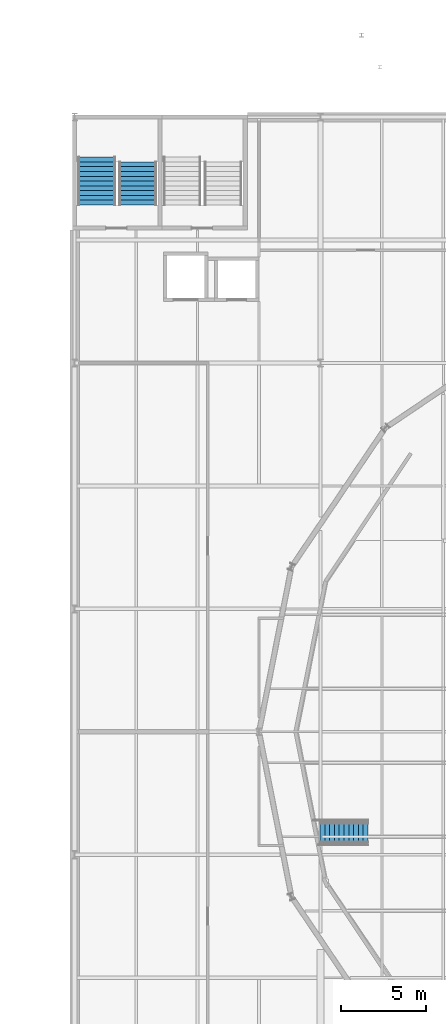
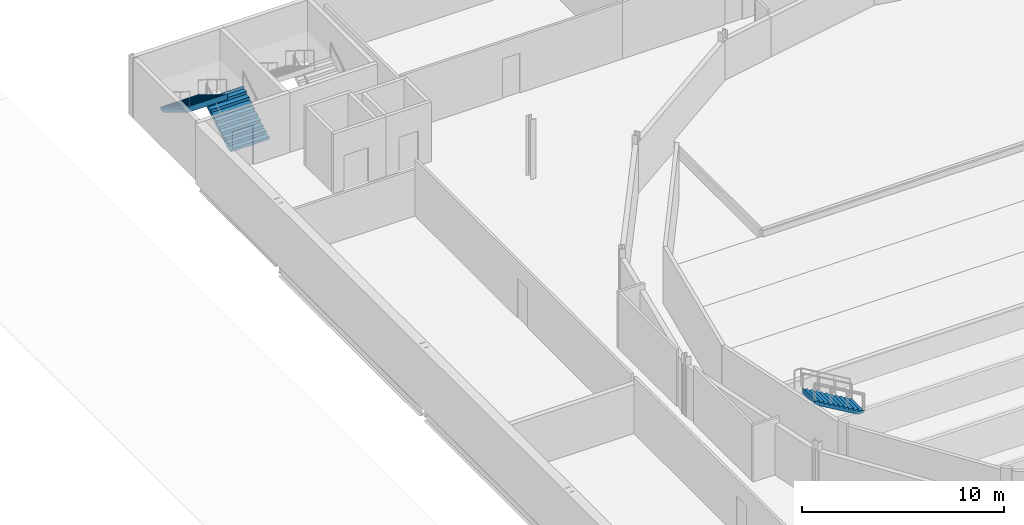
# One storey, part 68 of 90: 3 stair flights, 2 elements without a shape of their own.
"""IFC4 building model written with IfcOpenShell, lengths in metres."""

from ifc_helpers import new_model, si_unit, direction, frame, origin, place, context, subcontext, project, spatial, polyline, outline, extrude, material, type_object, element, aggregate, save


model = new_model("IFC4")

# Units and contexts
model_context = context("Model", 3, precision=1e-05, world=origin(), true_north=direction((0.0, 1.0)))
body_context = subcontext(model_context, "Body", "Model", "MODEL_VIEW")
ifc_project = project(units=[si_unit("LENGTHUNIT", "METRE"), si_unit("AREAUNIT", "SQUARE_METRE"), si_unit("VOLUMEUNIT", "CUBIC_METRE"), si_unit("PLANEANGLEUNIT", "RADIAN"), si_unit("MASSUNIT", "GRAM", prefix="KILO")], contexts=[model_context])

# Site, building, storey
site_placement = place(None, origin())
site = spatial("IfcSite", under=ifc_project, at=site_placement, CompositionType="ELEMENT")
building_placement = place(site_placement, origin())
building = spatial("IfcBuilding", under=site, at=building_placement, Name="Kupolbacken Congress Centre", CompositionType="ELEMENT")
storey_placement = place(building_placement, frame((0.0, 0.0, 3.60009765625)))
storey = spatial("IfcBuildingStorey", under=building, at=storey_placement, Name="L01", CompositionType="ELEMENT", Elevation=3.60009765625)

# Stair, stair flights
ifc_material_1 = material(Name="Concrete C30/37", Category="concrete")
stair_type_1 = type_object("IfcStairType", Name="ST13 stair 2200", PredefinedType="TWO_STRAIGHT_RUN_STAIR", material=ifc_material_1)
stair_1_placement = place(storey_placement, origin())
stair_1 = element("IfcStair", 1, at=stair_1_placement, inside=storey, type_object=stair_type_1, Name="C/stair/PS1NW/L01", PredefinedType="NOTDEFINED")
ifc_material_2 = material(Name="Concrete C30/37", Category="concrete")
stair_flight_type_1 = type_object("IfcStairFlightType", Name="FL13 stair flight 2200 x 10 risers", PredefinedType="STRAIGHT", material=ifc_material_2)
stair_flight_1_placement = place(storey_placement, frame((10.89990234375, 117.2548828125, 0.0), z_axis=(0.0, 0.0, 1.0), x_axis=(0.0, 1.0, 0.0)))
stair_flight_1 = element("IfcStairFlight", 2, at=stair_flight_1_placement, type_object=stair_flight_type_1, Name="PS1NW flight 1", NumberOfRisers=10, NumberOfTreads=9, PredefinedType="STRAIGHT", RiserHeight=0.171428571, TreadLength=0.28, context=body_context, shape_type="SweptSolid", body=[
    extrude(outline(polyline([(0.0, 0.0), (0.0, 0.0009765625), (0.0, 0.002197265625), (0.0, 0.003173828125), (0.0, 0.004150390625), (0.0, 0.00537109375), (0.0, 0.00634765625), (0.0, 0.007568359375), (0.0, 0.008544921875), (0.0, 0.009521484375), (0.0, 0.0107421875), (0.0, 0.01171875), (0.0, 0.0126953125), (0.0, 0.013916015625), (0.0, 0.014892578125), (0.0, 0.015869140625), (0.0, 0.01708984375), (0.0, 0.01806640625), (0.0, 0.019287109375), (0.0, 0.020263671875), (0.0, 0.021240234375), (0.0, 0.0224609375), (0.0, 0.0234375), (0.0, 0.0244140625), (0.0, 0.025634765625), (0.0, 0.026611328125), (0.0, 0.027587890625), (0.0, 0.02880859375), (0.0, 0.02978515625), (0.0, 0.03076171875), (0.0, 0.031982421875), (0.0, 0.032958984375), (0.0, 0.0341796875), (0.0, 0.03515625), (0.0, 0.0361328125), (0.0, 0.037353515625), (0.0, 0.038330078125), (0.0, 0.039306640625), (0.0, 0.04052734375), (0.0, 0.04150390625), (0.0, 0.04248046875), (0.0, 0.043701171875), (0.0, 0.044677734375), (0.0, 0.0458984375), (0.0, 0.046875), (0.0, 0.0478515625), (0.0, 0.049072265625), (0.0, 0.050048828125), (0.0, 0.051025390625), (0.0, 0.05224609375), (0.0, 0.05322265625), (0.0, 0.05419921875), (0.0, 0.055419921875), (0.0, 0.056396484375), (0.0, 0.0576171875), (0.0, 0.05859375), (0.0, 0.0595703125), (0.0, 0.060791015625), (0.0, 0.061767578125), (0.0, 0.062744140625), (0.0, 0.06396484375), (0.0, 0.06494140625), (0.0, 0.06591796875), (0.0, 0.067138671875), (0.0, 0.068115234375), (0.0, 0.069091796875), (0.0, 0.0703125), (0.0, 0.0712890625), (0.0, 0.072509765625), (0.0, 0.073486328125), (0.0, 0.074462890625), (0.0, 0.07568359375), (0.0, 0.07666015625), (0.0, 0.07763671875), (0.0, 0.078857421875), (0.0, 0.079833984375), (0.0, 0.080810546875), (0.0, 0.08203125), (0.0, 0.0830078125), (0.0, 0.084228515625), (0.0, 0.085205078125), (0.0, 0.086181640625), (0.0, 0.08740234375), (0.0, 0.08837890625), (0.0, 0.08935546875), (0.0, 0.090576171875), (0.0, 0.091552734375), (0.0, 0.092529296875), (0.0, 0.09375), (0.0, 0.0947265625), (0.0, 0.095947265625), (0.0, 0.096923828125), (0.0, 0.097900390625), (0.0, 0.09912109375), (0.0, 0.10009765625), (0.0, 0.10107421875), (0.0, 0.102294921875), (0.0, 0.103271484375), (0.0, 0.104248046875), (0.0, 0.10546875), (0.0, 0.1064453125), (0.0, 0.107421875), (0.0, 0.108642578125), (0.0, 0.109619140625), (0.0, 0.11083984375), (0.0, 0.11181640625), (0.0, 0.11279296875), (0.0, 0.114013671875), (0.0, 0.114990234375), (0.0, 0.115966796875), (0.0, 0.1171875), (0.0, 0.1181640625), (0.0, 0.119140625), (0.0, 0.120361328125), (0.0, 0.121337890625), (0.0, 0.12255859375), (0.0, 0.12353515625), (0.0, 0.12451171875), (0.0, 0.125732421875), (0.0, 0.126708984375), (0.0, 0.127685546875), (0.0, 0.12890625), (0.0, 0.1298828125), (0.0, 0.130859375), (0.0, 0.132080078125), (0.0, 0.133056640625), (0.0, 0.13427734375), (0.0, 0.13525390625), (0.0, 0.13623046875), (0.0, 0.137451171875), (0.0, 0.138427734375), (0.0, 0.139404296875), (0.0, 0.140625), (0.0, 0.1416015625), (0.0, 0.142578125), (0.0, 0.143798828125), (0.0, 0.144775390625), (0.0, 0.145751953125), (0.0, 0.14697265625), (0.0, 0.14794921875), (0.0, 0.149169921875), (0.0, 0.150146484375), (0.0, 0.151123046875), (0.0, 0.15234375), (0.0, 0.1533203125), (0.0, 0.154296875), (0.0, 0.155517578125), (0.0, 0.156494140625), (0.0, 0.157470703125), (0.0, 0.15869140625), (0.0, 0.15966796875), (0.0, 0.160888671875), (0.0, 0.161865234375), (0.0, 0.162841796875), (0.0, 0.1640625), (0.0, 0.1650390625), (0.0, 0.166015625), (0.0, 0.167236328125), (0.0, 0.168212890625), (0.0, 0.169189453125), (0.0, 0.17041015625), (0.0, 0.17138671875), (0.280029296875, 0.17138671875), (0.280029296875, 0.3427734375), (0.56005859375, 0.3427734375), (0.56005859375, 0.514404296875), (0.840087890625, 0.514404296875), (0.840087890625, 0.685791015625), (1.1201171875, 0.685791015625), (1.1201171875, 0.857177734375), (1.39990234375, 0.857177734375), (1.39990234375, 1.028564453125), (1.679931640625, 1.028564453125), (1.679931640625, 1.199951171875), (1.9599609375, 1.199951171875), (1.9599609375, 1.371337890625), (2.239990234375, 1.371337890625), (2.239990234375, 1.54296875), (2.52001953125, 1.54296875), (2.52001953125, 1.71435546875), (2.52197265625, 1.71435546875), (2.52197265625, 1.712158203125), (2.52197265625, 1.7099609375), (2.52197265625, 1.707763671875), (2.52197265625, 1.70556640625), (2.52197265625, 1.70361328125), (2.52197265625, 1.701416015625), (2.52197265625, 1.69921875), (2.52197265625, 1.697021484375), (2.52197265625, 1.69482421875), (2.52197265625, 1.692626953125), (2.52197265625, 1.690673828125), (2.52197265625, 1.6884765625), (2.52197265625, 1.686279296875), (2.52197265625, 1.68408203125), (2.52197265625, 1.681884765625), (2.52197265625, 1.6796875), (2.52197265625, 1.677734375), (2.52197265625, 1.675537109375), (2.52197265625, 1.67333984375), (2.52197265625, 1.671142578125), (2.52197265625, 1.6689453125), (2.52197265625, 1.666748046875), (2.52197265625, 1.664794921875), (2.52197265625, 1.66259765625), (2.52197265625, 1.660400390625), (2.52197265625, 1.658203125), (2.52197265625, 1.656005859375), (2.52197265625, 1.65380859375), (2.52197265625, 1.65185546875), (2.52197265625, 1.649658203125), (2.52197265625, 1.6474609375), (2.52197265625, 1.645263671875), (2.52197265625, 1.64306640625), (2.52197265625, 1.640869140625), (2.52197265625, 1.638916015625), (2.52197265625, 1.63671875), (2.52197265625, 1.634521484375), (2.52197265625, 1.63232421875), (2.52197265625, 1.630126953125), (2.52197265625, 1.6279296875), (2.52197265625, 1.6259765625), (2.52197265625, 1.623779296875), (2.52197265625, 1.62158203125), (2.52197265625, 1.619384765625), (2.52197265625, 1.6171875), (2.52197265625, 1.614990234375), (2.52197265625, 1.613037109375), (2.52197265625, 1.61083984375), (2.52197265625, 1.608642578125), (2.52197265625, 1.6064453125), (2.52197265625, 1.604248046875), (2.52197265625, 1.60205078125), (2.52197265625, 1.60009765625), (2.52197265625, 1.597900390625), (2.52197265625, 1.595703125), (2.52197265625, 1.593505859375), (2.52197265625, 1.59130859375), (2.52197265625, 1.589111328125), (2.52197265625, 1.587158203125), (2.52197265625, 1.5849609375), (2.52197265625, 1.582763671875), (2.52197265625, 1.58056640625), (2.52197265625, 1.578369140625), (2.52197265625, 1.576171875), (2.52197265625, 1.57421875), (2.52197265625, 1.572021484375), (2.52197265625, 1.56982421875), (2.52197265625, 1.567626953125), (2.52197265625, 1.5654296875), (2.52197265625, 1.563232421875), (2.52197265625, 1.561279296875), (2.52197265625, 1.55908203125), (2.52197265625, 1.556884765625), (2.52197265625, 1.5546875), (2.52197265625, 1.552490234375), (2.52197265625, 1.55029296875), (2.52197265625, 1.54833984375), (2.52197265625, 1.546142578125), (2.52197265625, 1.5439453125), (2.52197265625, 1.541748046875), (2.52197265625, 1.53955078125), (2.52197265625, 1.537353515625), (2.52197265625, 1.535400390625), (2.52197265625, 1.533203125), (2.52197265625, 1.531005859375), (2.52197265625, 1.52880859375), (2.52197265625, 1.526611328125), (2.52197265625, 1.5244140625), (2.52197265625, 1.5224609375), (2.52197265625, 1.520263671875), (2.52197265625, 1.51806640625), (2.52197265625, 1.515869140625), (2.52197265625, 1.513671875), (2.52197265625, 1.511474609375), (2.52197265625, 1.509521484375), (2.52197265625, 1.50732421875), (2.52197265625, 1.505126953125), (2.52197265625, 1.5029296875), (2.52197265625, 1.500732421875), (2.52197265625, 1.49853515625), (2.52197265625, 1.49658203125), (2.52197265625, 1.494384765625), (2.52197265625, 1.4921875), (2.52197265625, 1.489990234375), (2.52197265625, 1.48779296875), (2.52197265625, 1.485595703125), (2.52197265625, 1.483642578125), (2.52197265625, 1.4814453125), (2.52197265625, 1.479248046875), (2.52197265625, 1.47705078125), (2.52197265625, 1.474853515625), (2.52197265625, 1.47265625), (2.52197265625, 1.470703125), (2.52197265625, 1.468505859375), (2.52197265625, 1.46630859375), (2.52197265625, 1.464111328125), (2.52197265625, 1.4619140625), (2.52197265625, 1.459716796875), (2.52197265625, 1.457763671875), (2.52197265625, 1.45556640625), (2.52197265625, 1.453369140625), (2.52197265625, 1.451171875), (2.52197265625, 1.448974609375), (2.52197265625, 1.44677734375), (2.52197265625, 1.44482421875), (2.52197265625, 1.442626953125), (2.52197265625, 1.4404296875), (2.52197265625, 1.438232421875), (2.52197265625, 1.43603515625), (2.52197265625, 1.433837890625), (2.52197265625, 1.431884765625), (2.52197265625, 1.4296875), (2.52197265625, 1.427490234375), (2.52197265625, 1.42529296875), (2.52197265625, 1.423095703125), (2.52197265625, 1.4208984375), (2.52197265625, 1.4189453125), (2.52197265625, 1.416748046875), (2.52197265625, 1.41455078125), (2.52197265625, 1.412353515625), (2.52197265625, 1.41015625), (2.52197265625, 1.407958984375), (2.52197265625, 1.406005859375), (2.52197265625, 1.40380859375), (2.52197265625, 1.401611328125), (2.52197265625, 1.3994140625), (2.52197265625, 1.397216796875), (2.52197265625, 1.39501953125), (2.52197265625, 1.39306640625), (2.52197265625, 1.390869140625), (2.52197265625, 1.388671875), (2.52197265625, 1.386474609375), (2.52197265625, 1.38427734375), (2.52197265625, 1.382080078125), (2.52197265625, 1.380126953125), (2.52197265625, 1.3779296875), (2.52197265625, 1.375732421875), (2.52197265625, 1.37353515625), (2.52197265625, 1.371337890625), (2.52197265625, 1.369140625), (2.52197265625, 1.3671875), (0.2890625, 0.0), (0.0, 0.0)])), frame((0.0, 1.10009765625, 0.0), z_axis=(0.0, -1.0, 0.0), x_axis=(1.0, 0.0, 0.0)), (0.0, 0.0, 1.0), 2.199951171875),
])
ifc_material_3 = material(Name="Concrete C30/37", Category="concrete")
stair_flight_type_2 = type_object("IfcStairFlightType", Name="FL14 stair flight 2200 x 11 risers", PredefinedType="STRAIGHT", material=ifc_material_3)
stair_flight_2_placement = place(storey_placement, frame((8.5, 120.054931640625, 1.714111328125), z_axis=(0.0, 0.0, 1.0), x_axis=(0.0, -1.0, 0.0)))
stair_flight_2 = element("IfcStairFlight", 3, at=stair_flight_2_placement, type_object=stair_flight_type_2, Name="PS1NW flight 2", NumberOfRisers=11, NumberOfTreads=10, PredefinedType="STRAIGHT", RiserHeight=0.171428571, TreadLength=0.28, context=body_context, shape_type="SweptSolid", body=[
    extrude(outline(polyline([(0.0, 0.0), (0.0, 0.0009765625), (0.0, 0.002197265625), (0.0, 0.003173828125), (0.0, 0.004150390625), (0.0, 0.00537109375), (0.0, 0.00634765625), (0.0, 0.007568359375), (0.0, 0.008544921875), (0.0, 0.009521484375), (0.0, 0.0107421875), (0.0, 0.01171875), (0.0, 0.0126953125), (0.0, 0.013916015625), (0.0, 0.014892578125), (0.0, 0.015869140625), (0.0, 0.01708984375), (0.0, 0.01806640625), (0.0, 0.019287109375), (0.0, 0.020263671875), (0.0, 0.021240234375), (0.0, 0.0224609375), (0.0, 0.0234375), (0.0, 0.0244140625), (0.0, 0.025634765625), (0.0, 0.026611328125), (0.0, 0.027587890625), (0.0, 0.02880859375), (0.0, 0.02978515625), (0.0, 0.03076171875), (0.0, 0.031982421875), (0.0, 0.032958984375), (0.0, 0.0341796875), (0.0, 0.03515625), (0.0, 0.0361328125), (0.0, 0.037353515625), (0.0, 0.038330078125), (0.0, 0.039306640625), (0.0, 0.04052734375), (0.0, 0.04150390625), (0.0, 0.04248046875), (0.0, 0.043701171875), (0.0, 0.044677734375), (0.0, 0.0458984375), (0.0, 0.046875), (0.0, 0.0478515625), (0.0, 0.049072265625), (0.0, 0.050048828125), (0.0, 0.051025390625), (0.0, 0.05224609375), (0.0, 0.05322265625), (0.0, 0.05419921875), (0.0, 0.055419921875), (0.0, 0.056396484375), (0.0, 0.0576171875), (0.0, 0.05859375), (0.0, 0.0595703125), (0.0, 0.060791015625), (0.0, 0.061767578125), (0.0, 0.062744140625), (0.0, 0.06396484375), (0.0, 0.06494140625), (0.0, 0.06591796875), (0.0, 0.067138671875), (0.0, 0.068115234375), (0.0, 0.069091796875), (0.0, 0.0703125), (0.0, 0.0712890625), (0.0, 0.072509765625), (0.0, 0.073486328125), (0.0, 0.074462890625), (0.0, 0.07568359375), (0.0, 0.07666015625), (0.0, 0.07763671875), (0.0, 0.078857421875), (0.0, 0.079833984375), (0.0, 0.080810546875), (0.0, 0.08203125), (0.0, 0.0830078125), (0.0, 0.084228515625), (0.0, 0.085205078125), (0.0, 0.086181640625), (0.0, 0.08740234375), (0.0, 0.08837890625), (0.0, 0.08935546875), (0.0, 0.090576171875), (0.0, 0.091552734375), (0.0, 0.092529296875), (0.0, 0.09375), (0.0, 0.0947265625), (0.0, 0.095947265625), (0.0, 0.096923828125), (0.0, 0.097900390625), (0.0, 0.09912109375), (0.0, 0.10009765625), (0.0, 0.10107421875), (0.0, 0.102294921875), (0.0, 0.103271484375), (0.0, 0.104248046875), (0.0, 0.10546875), (0.0, 0.1064453125), (0.0, 0.107421875), (0.0, 0.108642578125), (0.0, 0.109619140625), (0.0, 0.11083984375), (0.0, 0.11181640625), (0.0, 0.11279296875), (0.0, 0.114013671875), (0.0, 0.114990234375), (0.0, 0.115966796875), (0.0, 0.1171875), (0.0, 0.1181640625), (0.0, 0.119140625), (0.0, 0.120361328125), (0.0, 0.121337890625), (0.0, 0.12255859375), (0.0, 0.12353515625), (0.0, 0.12451171875), (0.0, 0.125732421875), (0.0, 0.126708984375), (0.0, 0.127685546875), (0.0, 0.12890625), (0.0, 0.1298828125), (0.0, 0.130859375), (0.0, 0.132080078125), (0.0, 0.133056640625), (0.0, 0.13427734375), (0.0, 0.13525390625), (0.0, 0.13623046875), (0.0, 0.137451171875), (0.0, 0.138427734375), (0.0, 0.139404296875), (0.0, 0.140625), (0.0, 0.1416015625), (0.0, 0.142578125), (0.0, 0.143798828125), (0.0, 0.144775390625), (0.0, 0.145751953125), (0.0, 0.14697265625), (0.0, 0.14794921875), (0.0, 0.149169921875), (0.0, 0.150146484375), (0.0, 0.151123046875), (0.0, 0.15234375), (0.0, 0.1533203125), (0.0, 0.154296875), (0.0, 0.155517578125), (0.0, 0.156494140625), (0.0, 0.157470703125), (0.0, 0.15869140625), (0.0, 0.15966796875), (0.0, 0.160888671875), (0.0, 0.161865234375), (0.0, 0.162841796875), (0.0, 0.1640625), (0.0, 0.1650390625), (0.0, 0.166015625), (0.0, 0.167236328125), (0.0, 0.168212890625), (0.0, 0.169189453125), (0.0, 0.17041015625), (0.0, 0.17138671875), (0.280029296875, 0.17138671875), (0.280029296875, 0.3427734375), (0.56005859375, 0.3427734375), (0.56005859375, 0.514404296875), (0.840087890625, 0.514404296875), (0.840087890625, 0.685791015625), (1.1201171875, 0.685791015625), (1.1201171875, 0.857177734375), (1.39990234375, 0.857177734375), (1.39990234375, 1.028564453125), (1.679931640625, 1.028564453125), (1.679931640625, 1.199951171875), (1.9599609375, 1.199951171875), (1.9599609375, 1.371337890625), (2.239990234375, 1.371337890625), (2.239990234375, 1.54296875), (2.52001953125, 1.54296875), (2.52001953125, 1.71435546875), (2.800048828125, 1.71435546875), (2.800048828125, 1.8857421875), (2.802001953125, 1.8857421875), (2.802001953125, 1.883544921875), (2.802001953125, 1.88134765625), (2.802001953125, 1.879150390625), (2.802001953125, 1.877197265625), (2.802001953125, 1.875), (2.802001953125, 1.872802734375), (2.802001953125, 1.87060546875), (2.802001953125, 1.868408203125), (2.802001953125, 1.8662109375), (2.802001953125, 1.8642578125), (2.802001953125, 1.862060546875), (2.802001953125, 1.85986328125), (2.802001953125, 1.857666015625), (2.802001953125, 1.85546875), (2.802001953125, 1.853271484375), (2.802001953125, 1.851318359375), (2.802001953125, 1.84912109375), (2.802001953125, 1.846923828125), (2.802001953125, 1.8447265625), (2.802001953125, 1.842529296875), (2.802001953125, 1.84033203125), (2.802001953125, 1.83837890625), (2.802001953125, 1.836181640625), (2.802001953125, 1.833984375), (2.802001953125, 1.831787109375), (2.802001953125, 1.82958984375), (2.802001953125, 1.827392578125), (2.802001953125, 1.825439453125), (2.802001953125, 1.8232421875), (2.802001953125, 1.821044921875), (2.802001953125, 1.81884765625), (2.802001953125, 1.816650390625), (2.802001953125, 1.814453125), (2.802001953125, 1.8125), (2.802001953125, 1.810302734375), (2.802001953125, 1.80810546875), (2.802001953125, 1.805908203125), (2.802001953125, 1.8037109375), (2.802001953125, 1.801513671875), (2.802001953125, 1.799560546875), (2.802001953125, 1.79736328125), (2.802001953125, 1.795166015625), (2.802001953125, 1.79296875), (2.802001953125, 1.790771484375), (2.802001953125, 1.78857421875), (2.802001953125, 1.78662109375), (2.802001953125, 1.784423828125), (2.802001953125, 1.7822265625), (2.802001953125, 1.780029296875), (2.802001953125, 1.77783203125), (2.802001953125, 1.775634765625), (2.802001953125, 1.773681640625), (2.802001953125, 1.771484375), (2.802001953125, 1.769287109375), (2.802001953125, 1.76708984375), (2.802001953125, 1.764892578125), (2.802001953125, 1.7626953125), (2.802001953125, 1.7607421875), (2.802001953125, 1.758544921875), (2.802001953125, 1.75634765625), (2.802001953125, 1.754150390625), (2.802001953125, 1.751953125), (2.802001953125, 1.749755859375), (2.802001953125, 1.747802734375), (2.802001953125, 1.74560546875), (2.802001953125, 1.743408203125), (2.802001953125, 1.7412109375), (2.802001953125, 1.739013671875), (2.802001953125, 1.73681640625), (2.802001953125, 1.73486328125), (2.802001953125, 1.732666015625), (2.802001953125, 1.73046875), (2.802001953125, 1.728271484375), (2.802001953125, 1.72607421875), (2.802001953125, 1.723876953125), (2.802001953125, 1.721923828125), (2.802001953125, 1.7197265625), (2.802001953125, 1.717529296875), (2.802001953125, 1.71533203125), (2.802001953125, 1.713134765625), (2.802001953125, 1.7109375), (2.802001953125, 1.708984375), (2.802001953125, 1.706787109375), (2.802001953125, 1.70458984375), (2.802001953125, 1.702392578125), (2.802001953125, 1.7001953125), (2.802001953125, 1.697998046875), (2.802001953125, 1.696044921875), (2.802001953125, 1.69384765625), (2.802001953125, 1.691650390625), (2.802001953125, 1.689453125), (2.802001953125, 1.687255859375), (2.802001953125, 1.68505859375), (2.802001953125, 1.68310546875), (2.802001953125, 1.680908203125), (2.802001953125, 1.6787109375), (2.802001953125, 1.676513671875), (2.802001953125, 1.67431640625), (2.802001953125, 1.672119140625), (2.802001953125, 1.670166015625), (2.802001953125, 1.66796875), (2.802001953125, 1.665771484375), (2.802001953125, 1.66357421875), (2.802001953125, 1.661376953125), (2.802001953125, 1.6591796875), (2.802001953125, 1.6572265625), (2.802001953125, 1.655029296875), (2.802001953125, 1.65283203125), (2.802001953125, 1.650634765625), (2.802001953125, 1.6484375), (2.802001953125, 1.646240234375), (2.802001953125, 1.644287109375), (2.802001953125, 1.64208984375), (2.802001953125, 1.639892578125), (2.802001953125, 1.6376953125), (2.802001953125, 1.635498046875), (2.802001953125, 1.63330078125), (2.802001953125, 1.63134765625), (2.802001953125, 1.629150390625), (2.802001953125, 1.626953125), (2.802001953125, 1.624755859375), (2.802001953125, 1.62255859375), (2.802001953125, 1.620361328125), (2.802001953125, 1.618408203125), (2.802001953125, 1.6162109375), (2.802001953125, 1.614013671875), (2.802001953125, 1.61181640625), (2.802001953125, 1.609619140625), (2.802001953125, 1.607421875), (2.802001953125, 1.60546875), (2.802001953125, 1.603271484375), (2.802001953125, 1.60107421875), (2.802001953125, 1.598876953125), (2.802001953125, 1.5966796875), (2.802001953125, 1.594482421875), (2.802001953125, 1.592529296875), (2.802001953125, 1.59033203125), (2.802001953125, 1.588134765625), (2.802001953125, 1.5859375), (2.802001953125, 1.583740234375), (2.802001953125, 1.58154296875), (2.802001953125, 1.57958984375), (2.802001953125, 1.577392578125), (2.802001953125, 1.5751953125), (2.802001953125, 1.572998046875), (2.802001953125, 1.57080078125), (2.802001953125, 1.568603515625), (2.802001953125, 1.566650390625), (2.802001953125, 1.564453125), (2.802001953125, 1.562255859375), (2.802001953125, 1.56005859375), (2.802001953125, 1.557861328125), (2.802001953125, 1.5556640625), (2.802001953125, 1.5537109375), (2.802001953125, 1.551513671875), (2.802001953125, 1.54931640625), (2.802001953125, 1.547119140625), (2.802001953125, 1.544921875), (2.802001953125, 1.542724609375), (2.802001953125, 1.540771484375), (2.802001953125, 1.53857421875), (0.2890625, 0.0), (0.0, 0.0)])), frame((0.0, 1.10009765625, 0.0), z_axis=(0.0, -1.0, 0.0), x_axis=(1.0, 0.0, 0.0)), (0.0, 0.0, 1.0), 2.199951171875),
])
aggregate(stair_1, [stair_flight_1, stair_flight_2])

# Stair, stair flight
ifc_material_4 = material(Name="Steel S355", Category="steel")
stair_type_2 = type_object("IfcStairType", Name="ST14 aisle stair 1200", PredefinedType="STRAIGHT_RUN_STAIR", material=ifc_material_4)
stair_2_placement = place(storey_placement, origin())
stair_2 = element("IfcStair", 4, at=stair_2_placement, inside=storey, type_object=stair_type_2, Name="PD/aisle/PA-S-1", PredefinedType="NOTDEFINED")
ifc_material_5 = material(Name="Steel S355", Category="steel")
stair_flight_type_3 = type_object("IfcStairFlightType", Name="FL16 stair flight 1200 x 11 risers of 162.6", PredefinedType="STRAIGHT", material=ifc_material_5)
stair_flight_3_placement = place(storey_placement, frame((24.378173828125, 80.5, 1.8115234375), z_axis=(0.0, 0.0, 1.0), x_axis=(-1.0, 0.0, 0.0)))
stair_flight_3 = element("IfcStairFlight", 5, at=stair_flight_3_placement, type_object=stair_flight_type_3, Name="ST14 flight 1", NumberOfRisers=11, NumberOfTreads=10, PredefinedType="STRAIGHT", RiserHeight=0.162590909, TreadLength=0.28, context=body_context, shape_type="SweptSolid", body=[
    extrude(outline(polyline([(0.0, 0.0), (0.0, 0.0009765625), (0.0, 0.001953125), (0.0, 0.0029296875), (0.0, 0.004150390625), (0.0, 0.005126953125), (0.0, 0.006103515625), (0.0, 0.007080078125), (0.0, 0.008056640625), (0.0, 0.009033203125), (0.0, 0.010009765625), (0.0, 0.01123046875), (0.0, 0.01220703125), (0.0, 0.01318359375), (0.0, 0.01416015625), (0.0, 0.01513671875), (0.0, 0.01611328125), (0.0, 0.01708984375), (0.0, 0.01806640625), (0.0, 0.019287109375), (0.0, 0.020263671875), (0.0, 0.021240234375), (0.0, 0.022216796875), (0.0, 0.023193359375), (0.0, 0.024169921875), (0.0, 0.025146484375), (0.0, 0.0263671875), (0.0, 0.02734375), (0.0, 0.0283203125), (0.0, 0.029296875), (0.0, 0.0302734375), (0.0, 0.03125), (0.0, 0.0322265625), (0.0, 0.033447265625), (0.0, 0.034423828125), (0.0, 0.035400390625), (0.0, 0.036376953125), (0.0, 0.037353515625), (0.0, 0.038330078125), (0.0, 0.039306640625), (0.0, 0.040283203125), (0.0, 0.04150390625), (0.0, 0.04248046875), (0.0, 0.04345703125), (0.0, 0.04443359375), (0.0, 0.04541015625), (0.0, 0.04638671875), (0.0, 0.04736328125), (0.0, 0.048583984375), (0.0, 0.049560546875), (0.0, 0.050537109375), (0.0, 0.051513671875), (0.0, 0.052490234375), (0.0, 0.053466796875), (0.0, 0.054443359375), (0.0, 0.0556640625), (0.0, 0.056640625), (0.0, 0.0576171875), (0.0, 0.05859375), (0.0, 0.0595703125), (0.0, 0.060546875), (0.0, 0.0615234375), (0.0, 0.0625), (0.0, 0.063720703125), (0.0, 0.064697265625), (0.0, 0.065673828125), (0.0, 0.066650390625), (0.0, 0.067626953125), (0.0, 0.068603515625), (0.0, 0.069580078125), (0.0, 0.07080078125), (0.0, 0.07177734375), (0.0, 0.07275390625), (0.0, 0.07373046875), (0.0, 0.07470703125), (0.0, 0.07568359375), (0.0, 0.07666015625), (0.0, 0.077880859375), (0.0, 0.078857421875), (0.0, 0.079833984375), (0.0, 0.080810546875), (0.0, 0.081787109375), (0.0, 0.082763671875), (0.0, 0.083740234375), (0.0, 0.084716796875), (0.0, 0.0859375), (0.0, 0.0869140625), (0.0, 0.087890625), (0.0, 0.0888671875), (0.0, 0.08984375), (0.0, 0.0908203125), (0.0, 0.091796875), (0.0, 0.093017578125), (0.0, 0.093994140625), (0.0, 0.094970703125), (0.0, 0.095947265625), (0.0, 0.096923828125), (0.0, 0.097900390625), (0.0, 0.098876953125), (0.0, 0.10009765625), (0.0, 0.10107421875), (0.0, 0.10205078125), (0.0, 0.10302734375), (0.0, 0.10400390625), (0.0, 0.10498046875), (0.0, 0.10595703125), (0.0, 0.10693359375), (0.0, 0.108154296875), (0.0, 0.109130859375), (0.0, 0.110107421875), (0.0, 0.111083984375), (0.0, 0.112060546875), (0.0, 0.113037109375), (0.0, 0.114013671875), (0.0, 0.115234375), (0.0, 0.1162109375), (0.0, 0.1171875), (0.0, 0.1181640625), (0.0, 0.119140625), (0.0, 0.1201171875), (0.0, 0.12109375), (0.0, 0.122314453125), (0.0, 0.123291015625), (0.0, 0.124267578125), (0.0, 0.125244140625), (0.0, 0.126220703125), (0.0, 0.127197265625), (0.0, 0.128173828125), (0.0, 0.129150390625), (0.0, 0.13037109375), (0.0, 0.13134765625), (0.0, 0.13232421875), (0.0, 0.13330078125), (0.0, 0.13427734375), (0.0, 0.13525390625), (0.0, 0.13623046875), (0.0, 0.137451171875), (0.0, 0.138427734375), (0.0, 0.139404296875), (0.0, 0.140380859375), (0.0, 0.141357421875), (0.0, 0.142333984375), (0.0, 0.143310546875), (0.0, 0.14453125), (0.0, 0.1455078125), (0.0, 0.146484375), (0.0, 0.1474609375), (0.0, 0.1484375), (0.0, 0.1494140625), (0.0, 0.150390625), (0.0, 0.1513671875), (0.0, 0.152587890625), (0.0, 0.153564453125), (0.0, 0.154541015625), (0.0, 0.155517578125), (0.0, 0.156494140625), (0.0, 0.157470703125), (0.0, 0.158447265625), (0.0, 0.15966796875), (0.0, 0.16064453125), (0.0, 0.16162109375), (0.0, 0.16259765625), (0.280029296875, 0.16259765625), (0.280029296875, 0.3251953125), (0.56005859375, 0.3251953125), (0.56005859375, 0.48779296875), (0.840087890625, 0.48779296875), (0.840087890625, 0.650390625), (1.1201171875, 0.650390625), (1.1201171875, 0.81298828125), (1.39990234375, 0.81298828125), (1.39990234375, 0.9755859375), (1.679931640625, 0.9755859375), (1.679931640625, 1.13818359375), (1.9599609375, 1.13818359375), (1.9599609375, 1.30078125), (2.239990234375, 1.30078125), (2.239990234375, 1.46337890625), (2.52001953125, 1.46337890625), (2.52001953125, 1.6259765625), (2.800048828125, 1.6259765625), (2.800048828125, 1.78857421875), (2.802001953125, 1.78857421875), (2.802001953125, 1.786376953125), (2.802001953125, 1.784423828125), (2.802001953125, 1.7822265625), (2.802001953125, 1.7802734375), (2.802001953125, 1.778076171875), (2.802001953125, 1.77587890625), (2.802001953125, 1.77392578125), (2.802001953125, 1.771728515625), (2.802001953125, 1.769775390625), (2.802001953125, 1.767578125), (2.802001953125, 1.765625), (2.802001953125, 1.763427734375), (2.802001953125, 1.761474609375), (2.802001953125, 1.75927734375), (2.802001953125, 1.757080078125), (2.802001953125, 1.755126953125), (2.802001953125, 1.7529296875), (2.802001953125, 1.7509765625), (2.802001953125, 1.748779296875), (2.802001953125, 1.746826171875), (2.802001953125, 1.74462890625), (2.802001953125, 1.74267578125), (2.802001953125, 1.740478515625), (2.802001953125, 1.738525390625), (2.802001953125, 1.736328125), (2.802001953125, 1.734130859375), (2.802001953125, 1.732177734375), (2.802001953125, 1.72998046875), (2.802001953125, 1.72802734375), (2.802001953125, 1.725830078125), (2.802001953125, 1.723876953125), (2.802001953125, 1.7216796875), (2.802001953125, 1.7197265625), (2.802001953125, 1.717529296875), (2.802001953125, 1.715576171875), (2.802001953125, 1.71337890625), (2.802001953125, 1.711181640625), (2.802001953125, 1.709228515625), (2.802001953125, 1.70703125), (2.802001953125, 1.705078125), (2.802001953125, 1.702880859375), (2.802001953125, 1.700927734375), (2.802001953125, 1.69873046875), (2.802001953125, 1.69677734375), (2.802001953125, 1.694580078125), (2.802001953125, 1.692626953125), (2.802001953125, 1.6904296875), (2.802001953125, 1.688232421875), (2.802001953125, 1.686279296875), (2.802001953125, 1.68408203125), (2.802001953125, 1.68212890625), (2.802001953125, 1.679931640625), (2.802001953125, 1.677978515625), (2.802001953125, 1.67578125), (2.802001953125, 1.673828125), (2.802001953125, 1.671630859375), (2.802001953125, 1.669677734375), (2.802001953125, 1.66748046875), (2.802001953125, 1.665283203125), (2.802001953125, 1.663330078125), (2.802001953125, 1.6611328125), (2.802001953125, 1.6591796875), (2.802001953125, 1.656982421875), (2.802001953125, 1.655029296875), (2.802001953125, 1.65283203125), (2.802001953125, 1.65087890625), (2.802001953125, 1.648681640625), (2.802001953125, 1.646728515625), (2.802001953125, 1.64453125), (2.802001953125, 1.642333984375), (2.802001953125, 1.640380859375), (2.802001953125, 1.63818359375), (2.802001953125, 1.63623046875), (2.802001953125, 1.634033203125), (2.802001953125, 1.632080078125), (2.802001953125, 1.6298828125), (2.802001953125, 1.6279296875), (2.802001953125, 1.625732421875), (2.802001953125, 1.623779296875), (2.802001953125, 1.62158203125), (2.802001953125, 1.619384765625), (2.802001953125, 1.617431640625), (2.802001953125, 1.615234375), (2.802001953125, 1.61328125), (2.802001953125, 1.611083984375), (2.802001953125, 1.609130859375), (2.802001953125, 1.60693359375), (2.802001953125, 1.60498046875), (2.802001953125, 1.602783203125), (2.802001953125, 1.600830078125), (2.802001953125, 1.5986328125), (2.802001953125, 1.596435546875), (2.802001953125, 1.594482421875), (2.802001953125, 1.59228515625), (2.802001953125, 1.59033203125), (2.802001953125, 1.588134765625), (2.802001953125, 1.586181640625), (2.802001953125, 1.583984375), (2.802001953125, 1.58203125), (2.802001953125, 1.579833984375), (2.802001953125, 1.577880859375), (2.802001953125, 1.57568359375), (2.802001953125, 1.573486328125), (2.802001953125, 1.571533203125), (2.802001953125, 1.5693359375), (2.802001953125, 1.5673828125), (2.802001953125, 1.565185546875), (2.802001953125, 1.563232421875), (2.802001953125, 1.56103515625), (2.802001953125, 1.55908203125), (2.802001953125, 1.556884765625), (2.802001953125, 1.5546875), (2.802001953125, 1.552734375), (2.802001953125, 1.550537109375), (2.802001953125, 1.548583984375), (2.802001953125, 1.54638671875), (2.802001953125, 1.54443359375), (2.802001953125, 1.542236328125), (2.802001953125, 1.540283203125), (2.802001953125, 1.5380859375), (2.802001953125, 1.5361328125), (2.802001953125, 1.533935546875), (2.802001953125, 1.53173828125), (2.802001953125, 1.52978515625), (2.802001953125, 1.527587890625), (2.802001953125, 1.525634765625), (2.802001953125, 1.5234375), (2.802001953125, 1.521484375), (2.802001953125, 1.519287109375), (2.802001953125, 1.517333984375), (2.802001953125, 1.51513671875), (2.802001953125, 1.51318359375), (2.802001953125, 1.510986328125), (2.802001953125, 1.5087890625), (2.802001953125, 1.5068359375), (2.802001953125, 1.504638671875), (2.802001953125, 1.502685546875), (2.802001953125, 1.50048828125), (2.802001953125, 1.49853515625), (2.802001953125, 1.496337890625), (2.802001953125, 1.494384765625), (2.802001953125, 1.4921875), (2.802001953125, 1.490234375), (2.802001953125, 1.488037109375), (2.802001953125, 1.48583984375), (2.802001953125, 1.48388671875), (2.802001953125, 1.481689453125), (2.802001953125, 1.479736328125), (2.802001953125, 1.4775390625), (2.802001953125, 1.4755859375), (2.802001953125, 1.473388671875), (2.802001953125, 1.471435546875), (2.802001953125, 1.46923828125), (2.802001953125, 1.46728515625), (2.802001953125, 1.465087890625), (2.802001953125, 1.462890625), (2.802001953125, 1.4609375), (2.802001953125, 1.458740234375), (2.802001953125, 1.456787109375), (2.802001953125, 1.45458984375), (2.802001953125, 1.45263671875), (0.300537109375, 0.0), (0.0, 0.0)])), frame((0.0, 0.60009765625, 0.0), z_axis=(0.0, -1.0, 0.0), x_axis=(1.0, 0.0, 0.0)), (0.0, 0.0, 1.0), 1.199951171875),
])
aggregate(stair_2, [stair_flight_3])

save(model, "model.ifc")
